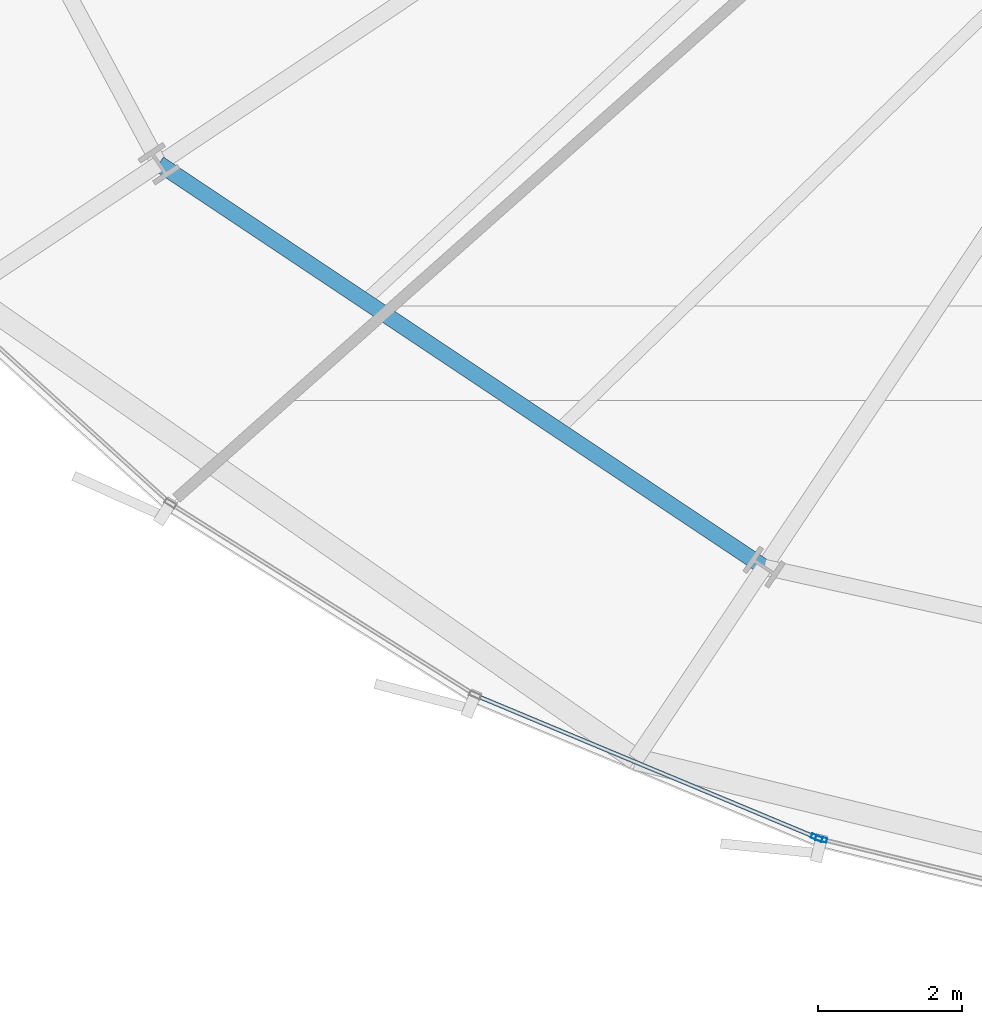
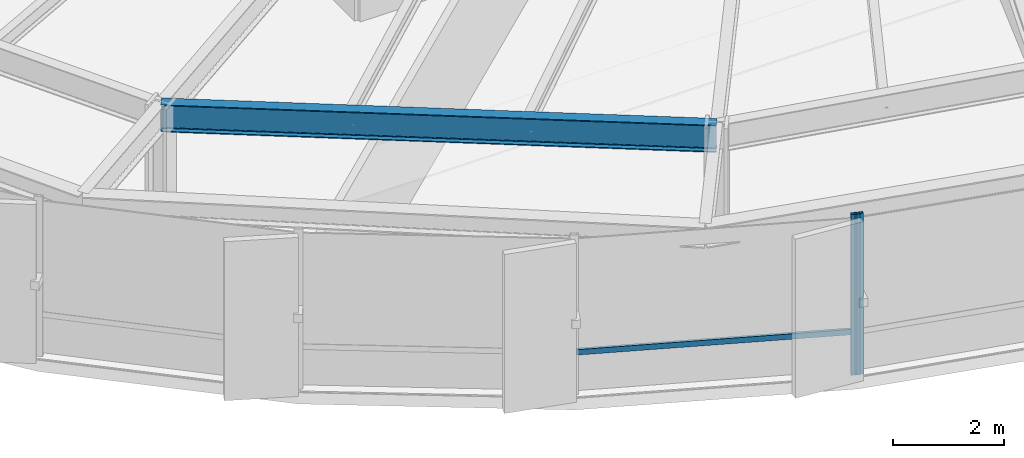
# One storey, part 4 of 37: 3 members, 1 beam, 2 elements without a shape of their own.
"""IFC4 building model written with IfcOpenShell, lengths in metres."""

from ifc_helpers import new_model, si_unit, direction, frame, origin, origin_2d, place, context, subcontext, project, spatial, hollow_rectangle, i_section, extrude, source, transform, mapped, material, layer, layer_set, material_profile, profile_set, type_object, element, aggregate, save


model = new_model("IFC4")

# Units and contexts
model_context = context("Model", 3, precision=1e-05, world=origin(), true_north=direction((0.0, 1.0)))
body_context = subcontext(model_context, "Body", "Model", "MODEL_VIEW")
ifc_project = project(units=[si_unit("LENGTHUNIT", "METRE"), si_unit("AREAUNIT", "SQUARE_METRE"), si_unit("VOLUMEUNIT", "CUBIC_METRE"), si_unit("PLANEANGLEUNIT", "RADIAN"), si_unit("MASSUNIT", "GRAM", prefix="KILO"), si_unit("THERMODYNAMICTEMPERATUREUNIT", "KELVIN")], contexts=[model_context])

# Site, building, storey
site_placement = place(None, origin())
site = spatial("IfcSite", under=ifc_project, at=site_placement, CompositionType="ELEMENT")
building_placement = place(site_placement, origin())
building = spatial("IfcBuilding", under=site, at=building_placement, Name="Kethvar Cultural Tower", CompositionType="ELEMENT")
storey_placement = place(building_placement, frame((0.0, 0.0, 60.0)))
storey = spatial("IfcBuildingStorey", under=building, at=storey_placement, Name="L14", CompositionType="ELEMENT", Elevation=60.0)

# Beam
ifc_material_1 = material(Name="Steel S355J2", Category="steel")
ifc_material_profile_1 = material_profile(ifc_material_1, i_section(OverallWidth=0.219970703125, OverallDepth=0.60009765625, WebThickness=0.011962890625, FlangeThickness=0.01904296875, FilletRadius=0.02392578125, at=origin_2d()), Name="Steel S355J2 — IPE600")
ifc_profile_set_1 = profile_set([ifc_material_profile_1], Name="Steel S355J2 — IPE600")
beam_type = type_object("IfcBeamType", Name="BM-IPE600", PredefinedType="BEAM", material=ifc_profile_set_1)
shared_shape_1 = source(origin(), body_context, "Body", "SweptSolid", [
    extrude(i_section(OverallWidth=0.219970703125, OverallDepth=0.60009765625, WebThickness=0.011962890625, FlangeThickness=0.01904296875, FilletRadius=0.02392578125, at=origin_2d()), origin(), (0.0, 0.0, 1.0), 10.06787109375),
])
beam_placement = place(storey_placement, frame((24.9248046875, 13.183349609375, 3.248046875), z_axis=(0.832065216665, -0.554677812083, 0.0), x_axis=(0.554677812083, 0.832065216665, 0.0)))
element("IfcBeam", 1, at=beam_placement, inside=storey, type_object=beam_type, Name="L14 Column Ring Tie Beam CR-10", PredefinedType="BEAM", context=body_context, shape_type="MappedRepresentation", body=[
    mapped(shared_shape_1, transform((0.0, 0.0, 0.0), scale=1.0)),
])

# Curtain wall, member
ifc_material_2 = material(Name="Aluminium 6063-T6", Category="aluminium")
ifc_layer = layer(ifc_material_2, 0.179931640625, Name="Aluminium 6063-T6", Category="aluminium")
ifc_layer_set = layer_set([ifc_layer], Name="Aluminium 6063-T6 (180 mm)")
curtain_wall_type = type_object("IfcCurtainWallType", Name="CW-SYS-02-Z1", PredefinedType="NOTDEFINED", material=ifc_layer_set)
curtain_wall_1_placement = place(storey_placement, origin())
curtain_wall_1 = element("IfcCurtainWall", 2, at=curtain_wall_1_placement, inside=storey, type_object=curtain_wall_type, Name="L14 Curtain Wall Run 04", PredefinedType="NOTDEFINED")
ifc_material_profile_2 = material_profile(ifc_material_2, hollow_rectangle(XDim=0.06494140625, YDim=0.159912109375, WallThickness=0.0048828125, at=origin_2d()), Name="Aluminium 6063-T6 — RHS160x65x5")
ifc_profile_set_2 = profile_set([ifc_material_profile_2], Name="Aluminium 6063-T6 — RHS160x65x5")
member_type_1 = type_object("IfcMemberType", Name="CW-SYS-02-Z1-MUL", PredefinedType="MULLION", material=ifc_profile_set_2)
shared_shape_2 = source(origin(), body_context, "Body", "SweptSolid", [
    extrude(hollow_rectangle(XDim=0.06494140625, YDim=0.159912109375, WallThickness=0.0048828125, at=origin_2d()), origin(), (0.0, 0.0, 1.0), 3.550048828125),
])
member_1_placement = place(storey_placement, frame((34.030517578125, 3.85302734375, 0.0), z_axis=(0.0, 0.0, 1.0), x_axis=(0.385213576644, 0.92282744886, 0.0)))
member_1 = element("IfcMember", 3, at=member_1_placement, type_object=member_type_1, Name="CW-L14-R04 Mullion 7", PredefinedType="MULLION", context=body_context, shape_type="MappedRepresentation", body=[
    mapped(shared_shape_2, transform((0.0, 0.0, 0.0), scale=1.0)),
])

curtain_wall_2_placement = place(storey_placement, origin())
curtain_wall_2 = element("IfcCurtainWall", 4, at=curtain_wall_2_placement, inside=storey, type_object=curtain_wall_type, Name="L14 Curtain Wall Run 05", PredefinedType="NOTDEFINED")
member_2_placement = place(storey_placement, frame((34.0927734375, 3.832763671875, 0.0), z_axis=(0.0, 0.0, 1.0), x_axis=(0.23717726625, 0.9714663887, 0.0)))
member_2 = element("IfcMember", 5, at=member_2_placement, type_object=member_type_1, Name="CW-L14-R05 Mullion 1", PredefinedType="MULLION", context=body_context, shape_type="MappedRepresentation", body=[
    mapped(shared_shape_2, transform((0.0, 0.0, 0.0), scale=1.0)),
])
aggregate(curtain_wall_2, [member_2])

# Member
ifc_material_profile_3 = material_profile(ifc_material_2, hollow_rectangle(XDim=0.054931640625, YDim=0.1201171875, WallThickness=0.00390625, at=origin_2d()), Name="Aluminium 6063-T6 — RHS120x55x4")
ifc_profile_set_3 = profile_set([ifc_material_profile_3], Name="Aluminium 6063-T6 — RHS120x55x4")
member_type_2 = type_object("IfcMemberType", Name="CW-SYS-02-Z1-TRN", PredefinedType="USERDEFINED", material=ifc_profile_set_3)
shared_shape_3 = source(origin(), body_context, "Body", "SweptSolid", [
    extrude(hollow_rectangle(XDim=0.054931640625, YDim=0.1201171875, WallThickness=0.00390625, at=origin_2d()), origin(), (0.0, 0.0, 1.0), 5.073974609375),
])
member_3_placement = place(storey_placement, frame((29.343994140625, 5.809326171875, 0.949951171875), z_axis=(0.922841858747, -0.385179054136, 0.0), x_axis=(0.385179054136, 0.922841858747, 0.0)))
member_3 = element("IfcMember", 6, at=member_3_placement, type_object=member_type_2, Name="CW-L14-R04 Transom 6", ObjectType="TRANSOM", PredefinedType="USERDEFINED", context=body_context, shape_type="MappedRepresentation", body=[
    mapped(shared_shape_3, transform((0.0, 0.0, 0.0), scale=1.0)),
])

aggregate(curtain_wall_1, [member_1, member_3])

save(model, "model.ifc")
